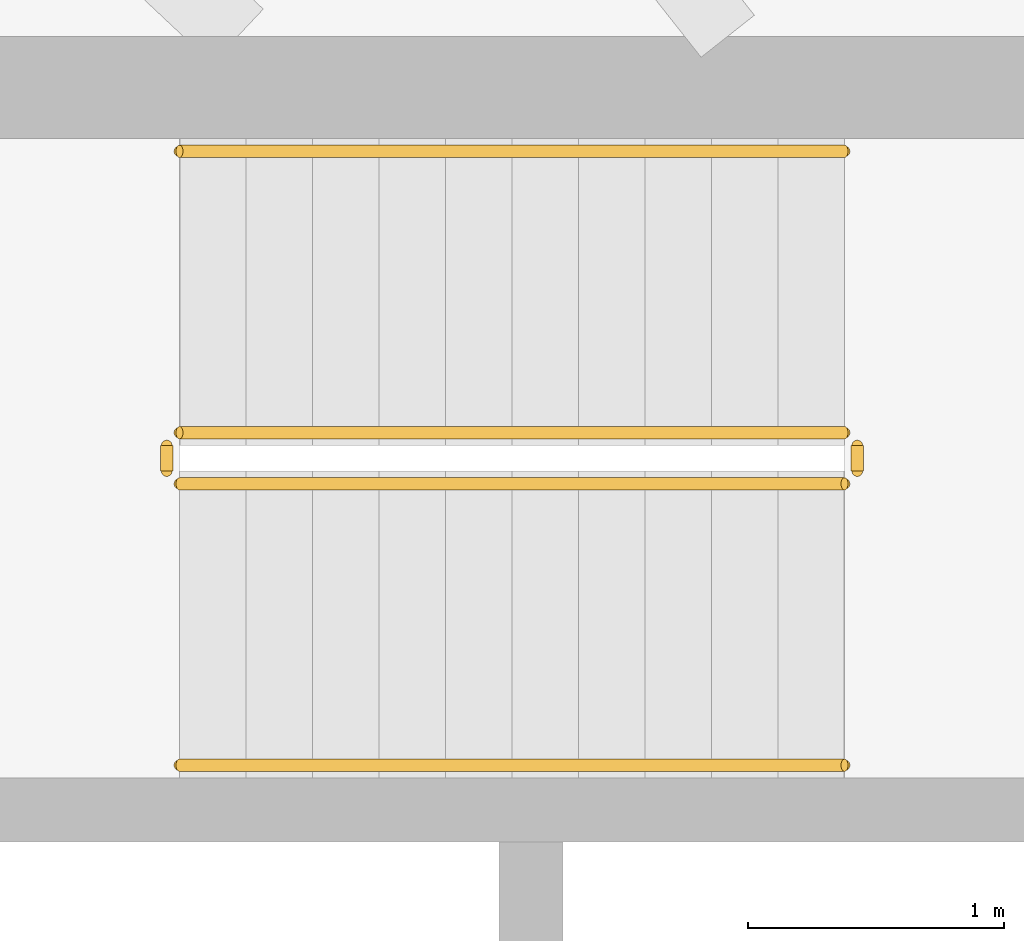
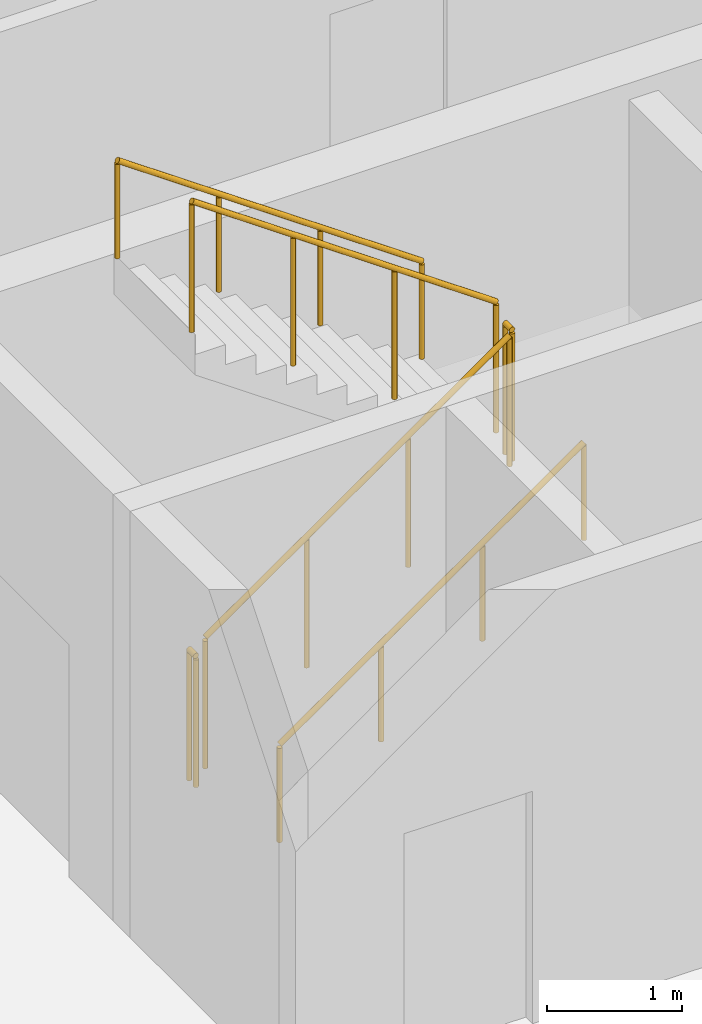
# One storey, part 17 of 21: 6 railings.
"""IFC4 building model written with IfcOpenShell, lengths in metres."""

from ifc_helpers import new_model, si_unit, direction, frame, origin, origin_2d, place, context, subcontext, project, spatial, circle, extrude, material, type_object, element, save


model = new_model("IFC4")

# Units and contexts
model_context = context("Model", 3, precision=1e-05, world=origin(), true_north=direction((0.0, 1.0)))
body_context = subcontext(model_context, "Body", "Model", "MODEL_VIEW")
ifc_project = project(units=[si_unit("LENGTHUNIT", "METRE"), si_unit("AREAUNIT", "SQUARE_METRE"), si_unit("VOLUMEUNIT", "CUBIC_METRE"), si_unit("PLANEANGLEUNIT", "RADIAN"), si_unit("MASSUNIT", "GRAM", prefix="KILO")], contexts=[model_context])

# Site, building, storey
site_placement = place(None, origin())
site = spatial("IfcSite", under=ifc_project, at=site_placement, CompositionType="ELEMENT")
building_placement = place(site_placement, origin())
building = spatial("IfcBuilding", under=site, at=building_placement, Name="Sahrelin Media Tower", CompositionType="ELEMENT")
storey_placement = place(building_placement, frame((0.0, 0.0, 304.39990234375)))
storey = spatial("IfcBuildingStorey", under=building, at=storey_placement, Name="L67", CompositionType="ELEMENT", Elevation=304.39990234375)

# Railings
ifc_material = material(Name="Steel S355", Category="steel")
railing_type_1 = type_object("IfcRailingType", Name="Stair guard 1200", PredefinedType="GUARDRAIL", material=ifc_material)
railing_1_placement = place(storey_placement, frame((-7.675048828125, 5.25, 0.181884765625)))
element("IfcRailing", 1, at=railing_1_placement, inside=storey, type_object=railing_type_1, Name="L67 ST1 stair guard 1", PredefinedType="GUARDRAIL", context=body_context, shape_type="SweptSolid", body=[
    extrude(circle(Radius=0.02392578125, at=origin_2d()), frame((0.0, 0.0, 1.17578125), z_axis=(0.819521025635, 0.0, 0.573049115296), x_axis=(0.0, 1.0, 0.0)), (0.0, 0.0, 1.0), 3.172607421875),
    extrude(circle(Radius=0.02099609375, at=origin_2d()), origin(), (0.0, 0.0, 1.0), 1.15185546875),
    extrude(circle(Radius=0.02099609375, at=origin_2d()), frame((0.86669921875, 0.0, 0.60595703125)), (0.0, 0.0, 1.0), 1.15185546875),
    extrude(circle(Radius=0.02099609375, at=origin_2d()), frame((1.7333984375, 0.0, 1.212158203125)), (0.0, 0.0, 1.0), 1.15185546875),
    extrude(circle(Radius=0.02099609375, at=origin_2d()), frame((2.60009765625, 0.0, 1.818115234375)), (0.0, 0.0, 1.0), 1.15185546875),
])
railing_2_placement = place(storey_placement, frame((-5.02490234375, 5.300048828125, 2.0)))
element("IfcRailing", 2, at=railing_2_placement, inside=storey, type_object=railing_type_1, Name="L67 ST1 stair guard 2", PredefinedType="GUARDRAIL", context=body_context, shape_type="SweptSolid", body=[
    extrude(circle(Radius=0.02392578125, at=origin_2d()), frame((0.0, 0.0, 1.17578125), z_axis=(0.0, 1.0, 0.0), x_axis=(-1.0, 0.0, 0.0)), (0.0, 0.0, 1.0), 0.099853515625),
    extrude(circle(Radius=0.02099609375, at=origin_2d()), origin(), (0.0, 0.0, 1.0), 1.15185546875),
    extrude(circle(Radius=0.02099609375, at=origin_2d()), frame((0.0, 0.099853515625, 0.0)), (0.0, 0.0, 1.0), 1.15185546875),
])
railing_3_placement = place(storey_placement, frame((-5.074951171875, 5.449951171875, 2.181884765625)))
element("IfcRailing", 3, at=railing_3_placement, inside=storey, type_object=railing_type_1, Name="L67 ST1 stair guard 3", PredefinedType="GUARDRAIL", context=body_context, shape_type="SweptSolid", body=[
    extrude(circle(Radius=0.02392578125, at=origin_2d()), frame((0.0, 0.0, 1.17578125), z_axis=(-0.819521025635, 0.0, 0.573049115296), x_axis=(0.0, -1.0, 0.0)), (0.0, 0.0, 1.0), 3.172607421875),
    extrude(circle(Radius=0.02099609375, at=origin_2d()), origin(), (0.0, 0.0, 1.0), 1.15185546875),
    extrude(circle(Radius=0.02099609375, at=origin_2d()), frame((-0.86669921875, 0.0, 0.60595703125)), (0.0, 0.0, 1.0), 1.15185546875),
    extrude(circle(Radius=0.02099609375, at=origin_2d()), frame((-1.7333984375, 0.0, 1.212158203125)), (0.0, 0.0, 1.0), 1.15185546875),
    extrude(circle(Radius=0.02099609375, at=origin_2d()), frame((-2.60009765625, 0.0, 1.818115234375)), (0.0, 0.0, 1.0), 1.15185546875),
])
railing_4_placement = place(storey_placement, frame((-7.72509765625, 5.300048828125, 0.0)))
element("IfcRailing", 4, at=railing_4_placement, inside=storey, type_object=railing_type_1, Name="L67 ST1 stair guard 4", PredefinedType="GUARDRAIL", context=body_context, shape_type="SweptSolid", body=[
    extrude(circle(Radius=0.02392578125, at=origin_2d()), frame((0.0, 0.0, 1.17578125), z_axis=(0.0, 1.0, 0.0), x_axis=(-1.0, 0.0, 0.0)), (0.0, 0.0, 1.0), 0.099853515625),
    extrude(circle(Radius=0.02099609375, at=origin_2d()), origin(), (0.0, 0.0, 1.0), 1.15185546875),
    extrude(circle(Radius=0.02099609375, at=origin_2d()), frame((0.0, 0.099853515625, 0.0)), (0.0, 0.0, 1.0), 1.15185546875),
])
railing_type_2 = type_object("IfcRailingType", Name="Stair handrail 900", PredefinedType="HANDRAIL", material=ifc_material)
railing_5_placement = place(storey_placement, frame((-7.675048828125, 4.14990234375, 0.181884765625)))
element("IfcRailing", 5, at=railing_5_placement, inside=storey, type_object=railing_type_2, Name="L67 ST1 stair handrail 1", PredefinedType="HANDRAIL", context=body_context, shape_type="SweptSolid", body=[
    extrude(circle(Radius=0.02392578125, at=origin_2d()), frame((0.0, 0.0, 0.8759765625), z_axis=(0.819521025635, 0.0, 0.573049115296), x_axis=(0.0, 1.0, 0.0)), (0.0, 0.0, 1.0), 3.172607421875),
    extrude(circle(Radius=0.02099609375, at=origin_2d()), origin(), (0.0, 0.0, 1.0), 0.851806640625),
    extrude(circle(Radius=0.02099609375, at=origin_2d()), frame((0.86669921875, 0.0, 0.60595703125)), (0.0, 0.0, 1.0), 0.851806640625),
    extrude(circle(Radius=0.02099609375, at=origin_2d()), frame((1.7333984375, 0.0, 1.212158203125)), (0.0, 0.0, 1.0), 0.851806640625),
    extrude(circle(Radius=0.02099609375, at=origin_2d()), frame((2.60009765625, 0.0, 1.818115234375)), (0.0, 0.0, 1.0), 0.851806640625),
])
railing_6_placement = place(storey_placement, frame((-5.074951171875, 6.550048828125, 2.181884765625)))
element("IfcRailing", 6, at=railing_6_placement, inside=storey, type_object=railing_type_2, Name="L67 ST1 stair handrail 2", PredefinedType="HANDRAIL", context=body_context, shape_type="SweptSolid", body=[
    extrude(circle(Radius=0.02392578125, at=origin_2d()), frame((0.0, 0.0, 0.8759765625), z_axis=(-0.819521025635, 0.0, 0.573049115296), x_axis=(0.0, -1.0, 0.0)), (0.0, 0.0, 1.0), 3.172607421875),
    extrude(circle(Radius=0.02099609375, at=origin_2d()), origin(), (0.0, 0.0, 1.0), 0.851806640625),
    extrude(circle(Radius=0.02099609375, at=origin_2d()), frame((-0.86669921875, 0.0, 0.60595703125)), (0.0, 0.0, 1.0), 0.851806640625),
    extrude(circle(Radius=0.02099609375, at=origin_2d()), frame((-1.7333984375, 0.0, 1.212158203125)), (0.0, 0.0, 1.0), 0.851806640625),
    extrude(circle(Radius=0.02099609375, at=origin_2d()), frame((-2.60009765625, 0.0, 1.818115234375)), (0.0, 0.0, 1.0), 0.851806640625),
])

save(model, "model.ifc")
